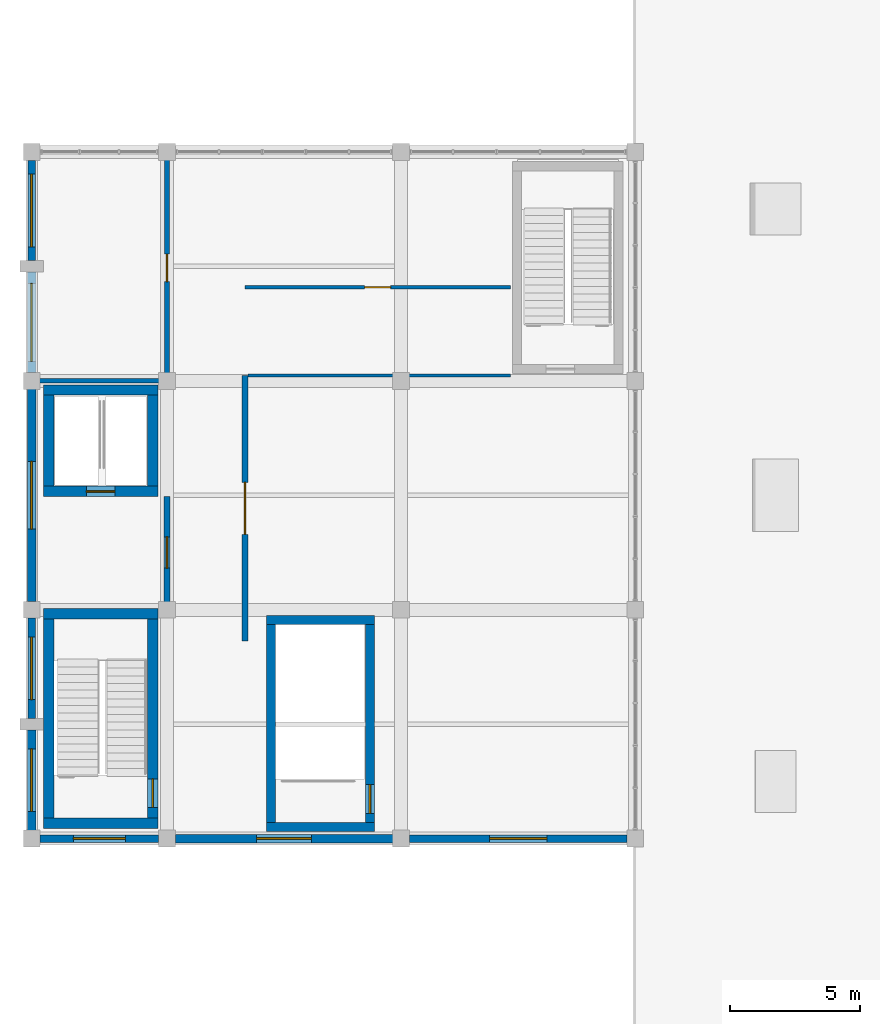
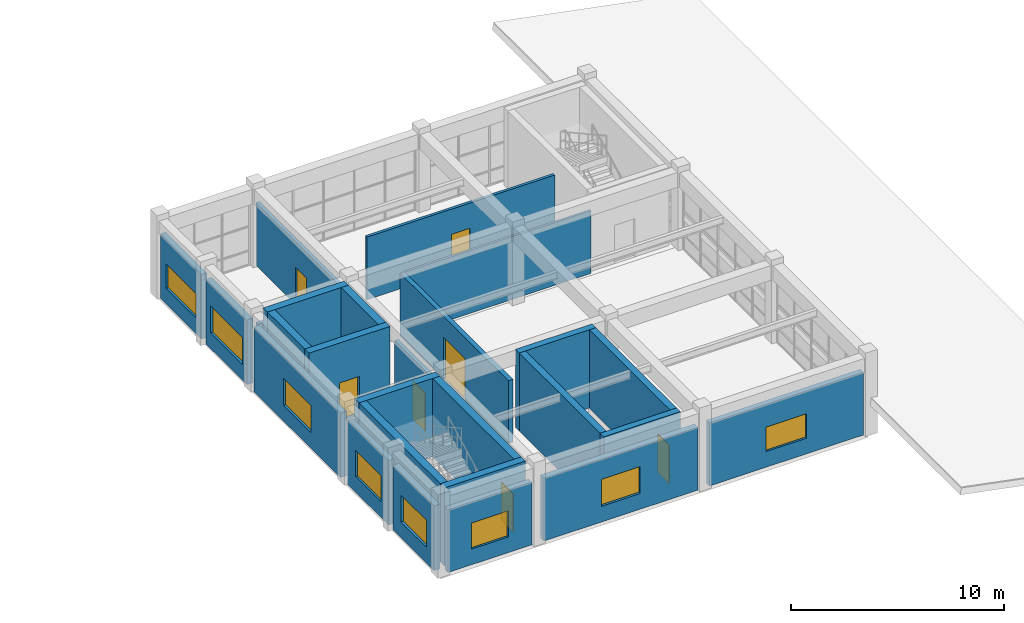
# One storey, part 81 of 99: 26 walls, 8 windows, 7 doors, 15 openings.
"""IFC4 building model written with IfcOpenShell, lengths in metres."""

from ifc_helpers import new_model, si_unit, direction, frame, frame_2d, origin, place, context, subcontext, project, spatial, rectangle, extrude, material, layer, layer_set, type_object, element, fill, save


model = new_model("IFC4")

# Units and contexts
model_context = context("Model", 3, precision=1e-05, world=origin(), true_north=direction((0.0, 1.0)))
body_context = subcontext(model_context, "Body", "Model", "MODEL_VIEW")
ifc_project = project(units=[si_unit("LENGTHUNIT", "METRE"), si_unit("AREAUNIT", "SQUARE_METRE"), si_unit("VOLUMEUNIT", "CUBIC_METRE"), si_unit("PLANEANGLEUNIT", "RADIAN"), si_unit("MASSUNIT", "GRAM", prefix="KILO")], contexts=[model_context])

# Site, building, storey
site_placement = place(None, origin())
site = spatial("IfcSite", under=ifc_project, at=site_placement, CompositionType="ELEMENT")
building_placement = place(site_placement, origin())
building = spatial("IfcBuilding", under=site, at=building_placement, Name="Ventoquebrada Cableway Terminal", CompositionType="ELEMENT")
storey_placement = place(building_placement, frame((0.0, 0.0, 9.60009765625)))
storey = spatial("IfcBuildingStorey", under=building, at=storey_placement, Name="L02", CompositionType="ELEMENT", Elevation=9.60009765625)

# Wall
ifc_material_1 = material(Name="Concrete C40/50", Category="concrete")
ifc_layer_1 = layer(ifc_material_1, 0.39990234375)
ifc_layer_set_1 = layer_set([ifc_layer_1], Name="Concrete C40/50")
wall_type_1 = type_object("IfcWallType", Name="WL-CR1", PredefinedType="SHEAR", material=ifc_layer_set_1)
wall_1_placement = place(storey_placement, frame((3.449951171875, 12.39990234375, 0.0), z_axis=(0.0, 0.0, 1.0), x_axis=(1.0, 0.0, 0.0)))
element("IfcWall", 1, at=wall_1_placement, inside=storey, type_object=wall_type_1, Name="Core shear wall IW-0025", PredefinedType="SHEAR", context=body_context, shape_type="SweptSolid", body=[
    extrude(rectangle(XDim=4.400146484375, YDim=0.39990234375, at=frame_2d((2.2001953125, 0.0))), origin(), (0.0, 0.0, 1.0), 4.489990234375),
])

# Wall, opening, door
wall_2_placement = place(storey_placement, frame((7.64990234375, 12.60009765625, 0.0), z_axis=(0.0, 0.0, 1.0), x_axis=(0.0, 1.0, 0.0)))
wall_2 = element("IfcWall", 2, at=wall_2_placement, inside=storey, type_object=wall_type_1, Name="Core shear wall IW-0026", PredefinedType="SHEAR", context=body_context, shape_type="SweptSolid", body=[
    extrude(rectangle(XDim=7.64990234375, YDim=0.39990234375, at=frame_2d((3.824951171875, 0.0))), origin(), (0.0, 0.0, 1.0), 4.489990234375),
])
opening_1_placement = place(wall_2_placement, frame((0.39990234375, 0.0, 0.0)))
opening_1 = element("IfcOpeningElement", 3, at=opening_1_placement, cuts=wall_2, Name="Opening D-004", PredefinedType="OPENING", context=body_context, shape_type="SweptSolid", body=[
    extrude(rectangle(XDim=1.10009765625, YDim=2.199951171875, at=frame_2d((0.550048828125, 1.10009765625))), frame((0.0, 0.2099609375, 0.0), z_axis=(0.0, -1.0, 0.0), x_axis=(1.0, 0.0, 0.0)), (0.0, 0.0, 1.0), 0.419921875),
])
ifc_material_2 = material(Name="Galvanized fire-rated steel door assembly", Category="steel")
door_type_1 = type_object("IfcDoorType", Name="DT-IN05", OperationType="SINGLE_SWING_LEFT", PredefinedType="DOOR", material=ifc_material_2)
door_1_placement = place(opening_1_placement, origin())
door_1 = element("IfcDoor", 4, at=door_1_placement, inside=storey, type_object=door_type_1, Name="Core K1-S stair fire door D-004", OperationType="SINGLE_SWING_LEFT", OverallHeight=2.199951171875, OverallWidth=1.10009765625, PredefinedType="DOOR", context=body_context, shape_type="SweptSolid", body=[
    extrude(rectangle(XDim=1.10009765625, YDim=2.199951171875, at=frame_2d((0.550048828125, 1.10009765625))), frame((0.0, 0.02490234375, 0.0), z_axis=(0.0, -1.0, 0.0), x_axis=(1.0, 0.0, 0.0)), (0.0, 0.0, 1.0), 0.050048828125),
])
fill(opening_1, door_1)

# Walls
wall_3_placement = place(storey_placement, frame((7.85009765625, 20.449951171875, 0.0), z_axis=(0.0, 0.0, 1.0), x_axis=(-1.0, 0.0, 0.0)))
element("IfcWall", 5, at=wall_3_placement, inside=storey, type_object=wall_type_1, Name="Core shear wall IW-0027", PredefinedType="SHEAR", context=body_context, shape_type="SweptSolid", body=[
    extrude(rectangle(XDim=4.400146484375, YDim=0.39990234375, at=frame_2d((2.2001953125, 0.0))), origin(), (0.0, 0.0, 1.0), 4.489990234375),
])
wall_4_placement = place(storey_placement, frame((3.64990234375, 20.25, 0.0), z_axis=(0.0, 0.0, 1.0), x_axis=(0.0, -1.0, 0.0)))
element("IfcWall", 6, at=wall_4_placement, inside=storey, type_object=wall_type_1, Name="Core shear wall IW-0028", PredefinedType="SHEAR", context=body_context, shape_type="SweptSolid", body=[
    extrude(rectangle(XDim=7.64990234375, YDim=0.39990234375, at=frame_2d((3.824951171875, 0.0))), origin(), (0.0, 0.0, 1.0), 4.489990234375),
])

# Wall, opening, door
wall_5_placement = place(storey_placement, frame((3.449951171875, 25.14990234375, 0.0), z_axis=(0.0, 0.0, 1.0), x_axis=(1.0, 0.0, 0.0)))
wall_5 = element("IfcWall", 7, at=wall_5_placement, inside=storey, type_object=wall_type_1, Name="Core shear wall IW-0029", PredefinedType="SHEAR", context=body_context, shape_type="SweptSolid", body=[
    extrude(rectangle(XDim=4.400146484375, YDim=0.39990234375, at=frame_2d((2.2001953125, 0.0))), origin(), (0.0, 0.0, 1.0), 4.489990234375),
])
opening_2_placement = place(wall_5_placement, frame((1.64990234375, 0.0, 0.0)))
opening_2 = element("IfcOpeningElement", 8, at=opening_2_placement, cuts=wall_5, Name="Opening LD-004", PredefinedType="OPENING", context=body_context, shape_type="SweptSolid", body=[
    extrude(rectangle(XDim=1.10009765625, YDim=2.199951171875, at=frame_2d((0.550048828125, 1.10009765625))), frame((0.0, 0.2099609375, 0.0), z_axis=(0.0, -1.0, 0.0), x_axis=(1.0, 0.0, 0.0)), (0.0, 0.0, 1.0), 0.419921875),
])
ifc_material_3 = material(Name="Brushed stainless steel Grade 316", Category="steel")
door_type_2 = type_object("IfcDoorType", Name="DT-LD01", OperationType="SLIDING_TO_LEFT", PredefinedType="DOOR", material=ifc_material_3)
door_2_placement = place(opening_2_placement, origin())
door_2 = element("IfcDoor", 9, at=door_2_placement, inside=storey, type_object=door_type_2, Name="Lift landing sliding door LD-004", OperationType="SLIDING_TO_LEFT", OverallHeight=2.199951171875, OverallWidth=1.10009765625, PredefinedType="DOOR", context=body_context, shape_type="SweptSolid", body=[
    extrude(rectangle(XDim=1.10009765625, YDim=2.199951171875, at=frame_2d((0.550048828125, 1.10009765625))), frame((0.0, 0.02490234375, 0.0), z_axis=(0.0, -1.0, 0.0), x_axis=(1.0, 0.0, 0.0)), (0.0, 0.0, 1.0), 0.050048828125),
])
fill(opening_2, door_2)

# Walls
wall_6_placement = place(storey_placement, frame((7.64990234375, 25.35009765625, 0.0), z_axis=(0.0, 0.0, 1.0), x_axis=(0.0, 1.0, 0.0)))
element("IfcWall", 10, at=wall_6_placement, inside=storey, type_object=wall_type_1, Name="Core shear wall IW-0030", PredefinedType="SHEAR", context=body_context, shape_type="SweptSolid", body=[
    extrude(rectangle(XDim=3.5, YDim=0.39990234375, at=frame_2d((1.75, 0.0))), origin(), (0.0, 0.0, 1.0), 4.489990234375),
])
wall_7_placement = place(storey_placement, frame((7.85009765625, 29.050048828125, 0.0), z_axis=(0.0, 0.0, 1.0), x_axis=(-1.0, 0.0, 0.0)))
element("IfcWall", 11, at=wall_7_placement, inside=storey, type_object=wall_type_1, Name="Core shear wall IW-0031", PredefinedType="SHEAR", context=body_context, shape_type="SweptSolid", body=[
    extrude(rectangle(XDim=4.400146484375, YDim=0.39990234375, at=frame_2d((2.2001953125, 0.0))), origin(), (0.0, 0.0, 1.0), 4.489990234375),
])
wall_8_placement = place(storey_placement, frame((3.64990234375, 28.85009765625, 0.0), z_axis=(0.0, 0.0, 1.0), x_axis=(0.0, -1.0, 0.0)))
element("IfcWall", 12, at=wall_8_placement, inside=storey, type_object=wall_type_1, Name="Core shear wall IW-0032", PredefinedType="SHEAR", context=body_context, shape_type="SweptSolid", body=[
    extrude(rectangle(XDim=3.5, YDim=0.39990234375, at=frame_2d((1.75, 0.0))), origin(), (0.0, 0.0, 1.0), 4.489990234375),
])

# Wall, opening, window
ifc_material_4 = material(Name="Precast architectural concrete C40/50", Category="concrete")
ifc_layer_2 = layer(ifc_material_4, 0.280029296875)
ifc_layer_set_2 = layer_set([ifc_layer_2], Name="Precast architectural concrete C40/50")
wall_type_2 = type_object("IfcWallType", Name="WL-EX1", PredefinedType="SOLIDWALL", material=ifc_layer_set_2)
wall_9_placement = place(storey_placement, frame((3.320068359375, 11.800048828125, 0.0), z_axis=(0.0, 0.0, 1.0), x_axis=(1.0, 0.0, 0.0)))
wall_9 = element("IfcWall", 13, at=wall_9_placement, inside=storey, type_object=wall_type_2, Name="Exterior architectural wall EW-0108", PredefinedType="SOLIDWALL", context=body_context, shape_type="SweptSolid", body=[
    extrude(rectangle(XDim=4.559814453125, YDim=0.280029296875, at=frame_2d((2.27978515625, 0.0))), origin(), (0.0, 0.0, 1.0), 3.60986328125),
])
opening_3_placement = place(wall_9_placement, frame((1.280029296875, 0.0, 0.89990234375)))
opening_3 = element("IfcOpeningElement", 14, at=opening_3_placement, cuts=wall_9, Name="Opening WN-027", PredefinedType="OPENING", context=body_context, shape_type="SweptSolid", body=[
    extrude(rectangle(XDim=2.0, YDim=1.5, at=frame_2d((1.0, 0.75))), frame((0.0, 0.14990234375, 0.0), z_axis=(0.0, -1.0, 0.0), x_axis=(1.0, 0.0, 0.0)), (0.0, 0.0, 1.0), 0.300048828125),
])
ifc_material_5 = material(Name="Double low-e laminated safety glazing", Category="glass")
window_type_1 = type_object("IfcWindowType", Name="WT-07", PartitioningType="SINGLE_PANEL", PredefinedType="WINDOW", material=ifc_material_5)
window_1_placement = place(opening_3_placement, origin())
window_1 = element("IfcWindow", 15, at=window_1_placement, inside=storey, type_object=window_type_1, Name="Architectural punched window WN-027", OverallHeight=1.5, OverallWidth=2.0, PartitioningType="SINGLE_PANEL", PredefinedType="WINDOW", context=body_context, shape_type="SweptSolid", body=[
    extrude(rectangle(XDim=2.0, YDim=1.5, at=frame_2d((1.0, 0.75))), frame((0.0, 0.030029296875, 0.0), z_axis=(0.0, -1.0, 0.0), x_axis=(1.0, 0.0, 0.0)), (0.0, 0.0, 1.0), 0.06005859375),
])
fill(opening_3, window_1)

wall_10_placement = place(storey_placement, frame((17.52001953125, 11.800048828125, 0.0), z_axis=(0.0, 0.0, 1.0), x_axis=(1.0, 0.0, 0.0)))
wall_10 = element("IfcWall", 16, at=wall_10_placement, inside=storey, type_object=wall_type_2, Name="Exterior architectural wall EW-0110", PredefinedType="SOLIDWALL", context=body_context, shape_type="SweptSolid", body=[
    extrude(rectangle(XDim=8.35986328125, YDim=0.280029296875, at=frame_2d((4.179931640625, 0.0))), origin(), (0.0, 0.0, 1.0), 3.60986328125),
])
opening_4_placement = place(wall_10_placement, frame((3.080078125, 0.0, 0.89990234375)))
opening_4 = element("IfcOpeningElement", 17, at=opening_4_placement, cuts=wall_10, Name="Opening WN-029", PredefinedType="OPENING", context=body_context, shape_type="SweptSolid", body=[
    extrude(rectangle(XDim=2.199951171875, YDim=1.39990234375, at=frame_2d((1.10009765625, 0.699951171875))), frame((0.0, 0.14990234375, 0.0), z_axis=(0.0, -1.0, 0.0), x_axis=(1.0, 0.0, 0.0)), (0.0, 0.0, 1.0), 0.300048828125),
])
window_type_2 = type_object("IfcWindowType", Name="WT-09", PartitioningType="SINGLE_PANEL", PredefinedType="WINDOW", material=ifc_material_5)
window_2_placement = place(opening_4_placement, origin())
window_2 = element("IfcWindow", 18, at=window_2_placement, inside=storey, type_object=window_type_2, Name="Architectural punched window WN-029", OverallHeight=1.39990234375, OverallWidth=2.199951171875, PartitioningType="SINGLE_PANEL", PredefinedType="WINDOW", context=body_context, shape_type="SweptSolid", body=[
    extrude(rectangle(XDim=2.199951171875, YDim=1.39990234375, at=frame_2d((1.10009765625, 0.699951171875))), frame((0.0, 0.030029296875, 0.0), z_axis=(0.0, -1.0, 0.0), x_axis=(1.0, 0.0, 0.0)), (0.0, 0.0, 1.0), 0.06005859375),
])
fill(opening_4, window_2)

wall_11_placement = place(storey_placement, frame((3.0, 20.280029296875, 0.0), z_axis=(0.0, 0.0, 1.0), x_axis=(0.0, -1.0, 0.0)))
wall_11 = element("IfcWall", 19, at=wall_11_placement, inside=storey, type_object=wall_type_2, Name="Exterior architectural wall EW-0111", PredefinedType="SOLIDWALL", context=body_context, shape_type="SweptSolid", body=[
    extrude(rectangle(XDim=3.860107421875, YDim=0.280029296875, at=frame_2d((1.93017578125, 0.0))), origin(), (0.0, 0.0, 1.0), 3.7099609375),
])
opening_5_placement = place(wall_11_placement, frame((0.72998046875, 0.0, 0.89990234375)))
opening_5 = element("IfcOpeningElement", 20, at=opening_5_placement, cuts=wall_11, Name="Opening WN-030", PredefinedType="OPENING", context=body_context, shape_type="SweptSolid", body=[
    extrude(rectangle(XDim=2.39990234375, YDim=1.5, at=frame_2d((1.199951171875, 0.75))), frame((0.0, 0.14990234375, 0.0), z_axis=(0.0, -1.0, 0.0), x_axis=(1.0, 0.0, 0.0)), (0.0, 0.0, 1.0), 0.300048828125),
])
window_type_3 = type_object("IfcWindowType", Name="WT-10", PartitioningType="SINGLE_PANEL", PredefinedType="WINDOW", material=ifc_material_5)
window_3_placement = place(opening_5_placement, origin())
window_3 = element("IfcWindow", 21, at=window_3_placement, inside=storey, type_object=window_type_3, Name="Architectural punched window WN-030", OverallHeight=1.5, OverallWidth=2.39990234375, PartitioningType="SINGLE_PANEL", PredefinedType="WINDOW", context=body_context, shape_type="SweptSolid", body=[
    extrude(rectangle(XDim=2.39990234375, YDim=1.5, at=frame_2d((1.199951171875, 0.75))), frame((0.0, 0.030029296875, 0.0), z_axis=(0.0, -1.0, 0.0), x_axis=(1.0, 0.0, 0.0)), (0.0, 0.0, 1.0), 0.06005859375),
])
fill(opening_5, window_3)

wall_12_placement = place(storey_placement, frame((3.0, 37.8798828125, 0.0), z_axis=(0.0, 0.0, 1.0), x_axis=(0.0, -1.0, 0.0)))
wall_12 = element("IfcWall", 22, at=wall_12_placement, inside=storey, type_object=wall_type_2, Name="Exterior architectural wall EW-0114", PredefinedType="SOLIDWALL", context=body_context, shape_type="SweptSolid", body=[
    extrude(rectangle(XDim=3.85986328125, YDim=0.280029296875, at=frame_2d((1.929931640625, 0.0))), origin(), (0.0, 0.0, 1.0), 3.7099609375),
])
opening_6_placement = place(wall_12_placement, frame((0.530029296875, 0.0, 0.89990234375)))
opening_6 = element("IfcOpeningElement", 23, at=opening_6_placement, cuts=wall_12, Name="Opening WN-033", PredefinedType="OPENING", context=body_context, shape_type="SweptSolid", body=[
    extrude(rectangle(XDim=2.800048828125, YDim=1.39990234375, at=frame_2d((1.39990234375, 0.699951171875))), frame((0.0, 0.14990234375, 0.0), z_axis=(0.0, -1.0, 0.0), x_axis=(1.0, 0.0, 0.0)), (0.0, 0.0, 1.0), 0.300048828125),
])
window_type_4 = type_object("IfcWindowType", Name="WT-13", PartitioningType="SINGLE_PANEL", PredefinedType="WINDOW", material=ifc_material_5)
window_4_placement = place(opening_6_placement, origin())
window_4 = element("IfcWindow", 24, at=window_4_placement, inside=storey, type_object=window_type_4, Name="Architectural punched window WN-033", OverallHeight=1.39990234375, OverallWidth=2.800048828125, PartitioningType="SINGLE_PANEL", PredefinedType="WINDOW", context=body_context, shape_type="SweptSolid", body=[
    extrude(rectangle(XDim=2.800048828125, YDim=1.39990234375, at=frame_2d((1.39990234375, 0.699951171875))), frame((0.0, 0.030029296875, 0.0), z_axis=(0.0, -1.0, 0.0), x_axis=(1.0, 0.0, 0.0)), (0.0, 0.0, 1.0), 0.06005859375),
])
fill(opening_6, window_4)

ifc_layer_3 = layer(ifc_material_4, 0.320068359375)
ifc_layer_set_3 = layer_set([ifc_layer_3], Name="Precast architectural concrete C40/50")
wall_type_3 = type_object("IfcWallType", Name="WL-EX2", PredefinedType="SOLIDWALL", material=ifc_layer_set_3)
wall_13_placement = place(storey_placement, frame((8.52001953125, 11.800048828125, 0.0), z_axis=(0.0, 0.0, 1.0), x_axis=(1.0, 0.0, 0.0)))
wall_13 = element("IfcWall", 25, at=wall_13_placement, inside=storey, type_object=wall_type_3, Name="Exterior architectural wall EW-0109", PredefinedType="SOLIDWALL", context=body_context, shape_type="SweptSolid", body=[
    extrude(rectangle(XDim=8.35986328125, YDim=0.320068359375, at=frame_2d((4.179931640625, 0.0))), origin(), (0.0, 0.0, 1.0), 3.60986328125),
])
opening_7_placement = place(wall_13_placement, frame((3.1298828125, 0.0, 0.89990234375)))
opening_7 = element("IfcOpeningElement", 26, at=opening_7_placement, cuts=wall_13, Name="Opening WN-028", PredefinedType="OPENING", context=body_context, shape_type="SweptSolid", body=[
    extrude(rectangle(XDim=2.10009765625, YDim=1.550048828125, at=frame_2d((1.050048828125, 0.77490234375))), frame((0.0, 0.169921875, 0.0), z_axis=(0.0, -1.0, 0.0), x_axis=(1.0, 0.0, 0.0)), (0.0, 0.0, 1.0), 0.340087890625),
])
window_type_5 = type_object("IfcWindowType", Name="WT-08", PartitioningType="SINGLE_PANEL", PredefinedType="WINDOW", material=ifc_material_5)
window_5_placement = place(opening_7_placement, origin())
window_5 = element("IfcWindow", 27, at=window_5_placement, inside=storey, type_object=window_type_5, Name="Architectural punched window WN-028", OverallHeight=1.550048828125, OverallWidth=2.10009765625, PartitioningType="SINGLE_PANEL", PredefinedType="WINDOW", context=body_context, shape_type="SweptSolid", body=[
    extrude(rectangle(XDim=2.10009765625, YDim=1.550048828125, at=frame_2d((1.050048828125, 0.77490234375))), frame((0.0, 0.030029296875, 0.0), z_axis=(0.0, -1.0, 0.0), x_axis=(1.0, 0.0, 0.0)), (0.0, 0.0, 1.0), 0.06005859375),
])
fill(opening_7, window_5)

wall_14_placement = place(storey_placement, frame((3.0, 15.97998046875, 0.0), z_axis=(0.0, 0.0, 1.0), x_axis=(0.0, -1.0, 0.0)))
wall_14 = element("IfcWall", 28, at=wall_14_placement, inside=storey, type_object=wall_type_3, Name="Exterior architectural wall EW-0112", PredefinedType="SOLIDWALL", context=body_context, shape_type="SweptSolid", body=[
    extrude(rectangle(XDim=3.85986328125, YDim=0.320068359375, at=frame_2d((1.929931640625, 0.0))), origin(), (0.0, 0.0, 1.0), 3.7099609375),
])
opening_8_placement = place(wall_14_placement, frame((0.72998046875, 0.0, 0.89990234375)))
opening_8 = element("IfcOpeningElement", 29, at=opening_8_placement, cuts=wall_14, Name="Opening WN-031", PredefinedType="OPENING", context=body_context, shape_type="SweptSolid", body=[
    extrude(rectangle(XDim=2.39990234375, YDim=1.550048828125, at=frame_2d((1.199951171875, 0.77490234375))), frame((0.0, 0.169921875, 0.0), z_axis=(0.0, -1.0, 0.0), x_axis=(1.0, 0.0, 0.0)), (0.0, 0.0, 1.0), 0.340087890625),
])
window_type_6 = type_object("IfcWindowType", Name="WT-11", PartitioningType="SINGLE_PANEL", PredefinedType="WINDOW", material=ifc_material_5)
window_6_placement = place(opening_8_placement, origin())
window_6 = element("IfcWindow", 30, at=window_6_placement, inside=storey, type_object=window_type_6, Name="Architectural punched window WN-031", OverallHeight=1.550048828125, OverallWidth=2.39990234375, PartitioningType="SINGLE_PANEL", PredefinedType="WINDOW", context=body_context, shape_type="SweptSolid", body=[
    extrude(rectangle(XDim=2.39990234375, YDim=1.550048828125, at=frame_2d((1.199951171875, 0.77490234375))), frame((0.0, 0.030029296875, 0.0), z_axis=(0.0, -1.0, 0.0), x_axis=(1.0, 0.0, 0.0)), (0.0, 0.0, 1.0), 0.06005859375),
])
fill(opening_8, window_6)

wall_15_placement = place(storey_placement, frame((3.0, 29.080078125, 0.0), z_axis=(0.0, 0.0, 1.0), x_axis=(0.0, -1.0, 0.0)))
wall_15 = element("IfcWall", 31, at=wall_15_placement, inside=storey, type_object=wall_type_3, Name="Exterior architectural wall EW-0113", PredefinedType="SOLIDWALL", context=body_context, shape_type="SweptSolid", body=[
    extrude(rectangle(XDim=8.16015625, YDim=0.320068359375, at=frame_2d((4.080078125, 0.0))), origin(), (0.0, 0.0, 1.0), 3.7099609375),
])
opening_9_placement = place(wall_15_placement, frame((2.780029296875, 0.0, 0.89990234375)))
opening_9 = element("IfcOpeningElement", 32, at=opening_9_placement, cuts=wall_15, Name="Opening WN-032", PredefinedType="OPENING", context=body_context, shape_type="SweptSolid", body=[
    extrude(rectangle(XDim=2.60009765625, YDim=1.550048828125, at=frame_2d((1.300048828125, 0.77490234375))), frame((0.0, 0.169921875, 0.0), z_axis=(0.0, -1.0, 0.0), x_axis=(1.0, 0.0, 0.0)), (0.0, 0.0, 1.0), 0.340087890625),
])
window_type_7 = type_object("IfcWindowType", Name="WT-12", PartitioningType="SINGLE_PANEL", PredefinedType="WINDOW", material=ifc_material_5)
window_7_placement = place(opening_9_placement, origin())
window_7 = element("IfcWindow", 33, at=window_7_placement, inside=storey, type_object=window_type_7, Name="Architectural punched window WN-032", OverallHeight=1.550048828125, OverallWidth=2.60009765625, PartitioningType="SINGLE_PANEL", PredefinedType="WINDOW", context=body_context, shape_type="SweptSolid", body=[
    extrude(rectangle(XDim=2.60009765625, YDim=1.550048828125, at=frame_2d((1.300048828125, 0.77490234375))), frame((0.0, 0.030029296875, 0.0), z_axis=(0.0, -1.0, 0.0), x_axis=(1.0, 0.0, 0.0)), (0.0, 0.0, 1.0), 0.06005859375),
])
fill(opening_9, window_7)

wall_16_placement = place(storey_placement, frame((3.0, 33.580078125, 0.0), z_axis=(0.0, 0.0, 1.0), x_axis=(0.0, -1.0, 0.0)))
wall_16 = element("IfcWall", 34, at=wall_16_placement, inside=storey, type_object=wall_type_3, Name="Exterior architectural wall EW-0115", PredefinedType="SOLIDWALL", context=body_context, shape_type="SweptSolid", body=[
    extrude(rectangle(XDim=3.860107421875, YDim=0.320068359375, at=frame_2d((1.93017578125, 0.0))), origin(), (0.0, 0.0, 1.0), 3.7099609375),
])
opening_10_placement = place(wall_16_placement, frame((0.429931640625, 0.0, 0.89990234375)))
opening_10 = element("IfcOpeningElement", 35, at=opening_10_placement, cuts=wall_16, Name="Opening WN-034", PredefinedType="OPENING", context=body_context, shape_type="SweptSolid", body=[
    extrude(rectangle(XDim=3.0, YDim=1.550048828125, at=frame_2d((1.5, 0.77490234375))), frame((0.0, 0.169921875, 0.0), z_axis=(0.0, -1.0, 0.0), x_axis=(1.0, 0.0, 0.0)), (0.0, 0.0, 1.0), 0.340087890625),
])
window_type_8 = type_object("IfcWindowType", Name="WT-14", PartitioningType="SINGLE_PANEL", PredefinedType="WINDOW", material=ifc_material_5)
window_8_placement = place(opening_10_placement, origin())
window_8 = element("IfcWindow", 36, at=window_8_placement, inside=storey, type_object=window_type_8, Name="Architectural punched window WN-034", OverallHeight=1.550048828125, OverallWidth=3.0, PartitioningType="SINGLE_PANEL", PredefinedType="WINDOW", context=body_context, shape_type="SweptSolid", body=[
    extrude(rectangle(XDim=3.0, YDim=1.550048828125, at=frame_2d((1.5, 0.77490234375))), frame((0.0, 0.030029296875, 0.0), z_axis=(0.0, -1.0, 0.0), x_axis=(1.0, 0.0, 0.0)), (0.0, 0.0, 1.0), 0.06005859375),
])
fill(opening_10, window_8)

# Wall
ifc_material_6 = material(Name="Fire-rated gypsum partition board on steel framing", Category="steel")
ifc_layer_4 = layer(ifc_material_6, 0.1201171875)
ifc_layer_set_4 = layer_set([ifc_layer_4], Name="Fire-rated gypsum partition board on steel framing")
wall_type_4 = type_object("IfcWallType", Name="WL-PT1", PredefinedType="PARTITIONING", material=ifc_layer_set_4)
wall_17_placement = place(storey_placement, frame((11.320068359375, 29.60009765625, 0.0), z_axis=(0.0, 0.0, 1.0), x_axis=(1.0, 0.0, 0.0)))
element("IfcWall", 37, at=wall_17_placement, inside=storey, type_object=wall_type_4, Name="Interior partition IW-0381", PredefinedType="PARTITIONING", context=body_context, shape_type="SweptSolid", body=[
    extrude(rectangle(XDim=10.079833984375, YDim=0.1201171875, at=frame_2d((5.0400390625, 0.0))), origin(), (0.0, 0.0, 1.0), 3.599853515625),
])

# Wall, opening, door
ifc_material_7 = material(Name="Autoclaved aerated concrete blockwork", Category="masonry")
ifc_layer_5 = layer(ifc_material_7, 0.2451171875)
ifc_layer_set_5 = layer_set([ifc_layer_5], Name="Autoclaved aerated concrete blockwork")
wall_type_5 = type_object("IfcWallType", Name="WL-PT10", PredefinedType="PARTITIONING", material=ifc_layer_set_5)
wall_18_placement = place(storey_placement, frame((11.199951171875, 19.39990234375, 0.0), z_axis=(0.0, 0.0, 1.0), x_axis=(0.0, 1.0, 0.0)))
wall_18 = element("IfcWall", 38, at=wall_18_placement, inside=storey, type_object=wall_type_5, Name="Interior partition IW-0380", PredefinedType="PARTITIONING", context=body_context, shape_type="SweptSolid", body=[
    extrude(rectangle(XDim=10.2001953125, YDim=0.2451171875, at=frame_2d((5.10009765625, 0.0))), origin(), (0.0, 0.0, 1.0), 3.599853515625),
])
opening_11_placement = place(wall_18_placement, frame((4.10009765625, 0.0, 0.0)))
opening_11 = element("IfcOpeningElement", 39, at=opening_11_placement, cuts=wall_18, Name="Opening D-108", PredefinedType="OPENING", context=body_context, shape_type="SweptSolid", body=[
    extrude(rectangle(XDim=2.0, YDim=2.39990234375, at=frame_2d((1.0, 1.199951171875))), frame((0.0, 0.132568359375, 0.0), z_axis=(0.0, -1.0, 0.0), x_axis=(1.0, 0.0, 0.0)), (0.0, 0.0, 1.0), 0.26513671875),
])
door_type_3 = type_object("IfcDoorType", Name="DT-IN09", OperationType="DOUBLE_DOOR_SINGLE_SWING", PredefinedType="DOOR", material=ifc_material_2)
door_3_placement = place(opening_11_placement, origin())
door_3 = element("IfcDoor", 40, at=door_3_placement, inside=storey, type_object=door_type_3, Name="Highland Lounge Entrance D-108", OperationType="DOUBLE_DOOR_SINGLE_SWING", OverallHeight=2.39990234375, OverallWidth=2.0, PredefinedType="DOOR", context=body_context, shape_type="SweptSolid", body=[
    extrude(rectangle(XDim=2.0, YDim=2.39990234375, at=frame_2d((1.0, 1.199951171875))), frame((0.0, 0.02490234375, 0.0), z_axis=(0.0, -1.0, 0.0), x_axis=(1.0, 0.0, 0.0)), (0.0, 0.0, 1.0), 0.050048828125),
])
fill(opening_11, door_3)

ifc_layer_6 = layer(ifc_material_6, 0.14990234375)
ifc_layer_set_6 = layer_set([ifc_layer_6], Name="Fire-rated gypsum partition board on steel framing")
wall_type_6 = type_object("IfcWallType", Name="WL-PT2", PredefinedType="PARTITIONING", material=ifc_layer_set_6)
wall_19_placement = place(storey_placement, frame((11.199951171875, 33.0, 0.0), z_axis=(0.0, 0.0, 1.0), x_axis=(1.0, 0.0, 0.0)))
wall_19 = element("IfcWall", 41, at=wall_19_placement, inside=storey, type_object=wall_type_6, Name="Interior partition IW-0382", PredefinedType="PARTITIONING", context=body_context, shape_type="SweptSolid", body=[
    extrude(rectangle(XDim=10.199951171875, YDim=0.14990234375, at=frame_2d((5.10009765625, 0.0))), origin(), (0.0, 0.0, 1.0), 3.599853515625),
])
opening_12_placement = place(wall_19_placement, frame((4.60009765625, 0.0, 0.0)))
opening_12 = element("IfcOpeningElement", 42, at=opening_12_placement, cuts=wall_19, Name="Opening D-109", PredefinedType="OPENING", context=body_context, shape_type="SweptSolid", body=[
    extrude(rectangle(XDim=1.0, YDim=2.14990234375, at=frame_2d((0.5, 1.074951171875))), frame((0.0, 0.0849609375, 0.0), z_axis=(0.0, -1.0, 0.0), x_axis=(1.0, 0.0, 0.0)), (0.0, 0.0, 1.0), 0.169921875),
])
ifc_material_8 = material(Name="Fire-retardant oak acoustic door leaf")
door_type_4 = type_object("IfcDoorType", Name="DT-IN02", OperationType="SINGLE_SWING_RIGHT", PredefinedType="DOOR", material=ifc_material_8)
door_4_placement = place(opening_12_placement, origin())
door_4 = element("IfcDoor", 43, at=door_4_placement, inside=storey, type_object=door_type_4, Name="Roastery Counter Door D-109", OperationType="SINGLE_SWING_RIGHT", OverallHeight=2.14990234375, OverallWidth=1.0, PredefinedType="DOOR", context=body_context, shape_type="SweptSolid", body=[
    extrude(rectangle(XDim=1.0, YDim=2.14990234375, at=frame_2d((0.5, 1.074951171875))), frame((0.0, 0.02490234375, 0.0), z_axis=(0.0, -1.0, 0.0), x_axis=(1.0, 0.0, 0.0)), (0.0, 0.0, 1.0), 0.050048828125),
])
fill(opening_12, door_4)

# Wall
ifc_layer_7 = layer(ifc_material_6, 0.179931640625)
ifc_layer_set_7 = layer_set([ifc_layer_7], Name="Fire-rated gypsum partition board on steel framing")
wall_type_7 = type_object("IfcWallType", Name="WL-PT3", PredefinedType="STANDARD", material=ifc_layer_set_7)
wall_20_placement = place(storey_placement, frame((3.199951171875, 29.39990234375, 0.0), z_axis=(0.0, 0.0, 1.0), x_axis=(1.0, 0.0, 0.0)))
element("IfcWall", 44, at=wall_20_placement, inside=storey, type_object=wall_type_7, Name="Interior partition IW-0383", PredefinedType="STANDARD", context=body_context, shape_type="SweptSolid", body=[
    extrude(rectangle(XDim=5.0, YDim=0.179931640625, at=frame_2d((2.5, 0.0))), origin(), (0.0, 0.0, 1.0), 3.599853515625),
])

# Wall, opening, door
ifc_layer_8 = layer(ifc_material_7, 0.199951171875)
ifc_layer_set_8 = layer_set([ifc_layer_8], Name="Autoclaved aerated concrete blockwork")
wall_type_8 = type_object("IfcWallType", Name="WL-PT4", PredefinedType="PARTITIONING", material=ifc_layer_set_8)
wall_21_placement = place(storey_placement, frame((8.199951171875, 29.488037109375, 0.0), z_axis=(0.0, 0.0, 1.0), x_axis=(0.0, 1.0, 0.0)))
wall_21 = element("IfcWall", 45, at=wall_21_placement, inside=storey, type_object=wall_type_8, Name="Interior partition IW-0384", PredefinedType="PARTITIONING", context=body_context, shape_type="SweptSolid", body=[
    extrude(rectangle(XDim=8.511962890625, YDim=0.199951171875, at=frame_2d((4.255859375, 0.0))), origin(), (0.0, 0.0, 1.0), 3.599853515625),
])
opening_13_placement = place(wall_21_placement, frame((3.73095703125, 0.0, 0.0)))
opening_13 = element("IfcOpeningElement", 46, at=opening_13_placement, cuts=wall_21, Name="Opening D-110", PredefinedType="OPENING", context=body_context, shape_type="SweptSolid", body=[
    extrude(rectangle(XDim=1.050048828125, YDim=2.14990234375, at=frame_2d((0.52490234375, 1.074951171875))), frame((0.0, 0.10986328125, 0.0), z_axis=(0.0, -1.0, 0.0), x_axis=(1.0, 0.0, 0.0)), (0.0, 0.0, 1.0), 0.219970703125),
])
door_type_5 = type_object("IfcDoorType", Name="DT-IN03", OperationType="SINGLE_SWING_LEFT", PredefinedType="DOOR", material=ifc_material_8)
door_5_placement = place(opening_13_placement, origin())
door_5 = element("IfcDoor", 47, at=door_5_placement, inside=storey, type_object=door_type_5, Name="L02 Accessible WC Door D-110", OperationType="SINGLE_SWING_LEFT", OverallHeight=2.14990234375, OverallWidth=1.050048828125, PredefinedType="DOOR", context=body_context, shape_type="SweptSolid", body=[
    extrude(rectangle(XDim=1.050048828125, YDim=2.14990234375, at=frame_2d((0.52490234375, 1.074951171875))), frame((0.0, 0.02490234375, 0.0), z_axis=(0.0, -1.0, 0.0), x_axis=(1.0, 0.0, 0.0)), (0.0, 0.0, 1.0), 0.050048828125),
])
fill(opening_13, door_5)

ifc_layer_9 = layer(ifc_material_7, 0.215087890625)
ifc_layer_set_9 = layer_set([ifc_layer_9], Name="Autoclaved aerated concrete blockwork")
wall_type_9 = type_object("IfcWallType", Name="WL-PT9", PredefinedType="PARTITIONING", material=ifc_layer_set_9)
wall_22_placement = place(storey_placement, frame((8.199951171875, 20.64990234375, 0.0), z_axis=(0.0, 0.0, 1.0), x_axis=(0.0, 1.0, 0.0)))
wall_22 = element("IfcWall", 48, at=wall_22_placement, inside=storey, type_object=wall_type_9, Name="Interior partition IW-0379", PredefinedType="PARTITIONING", context=body_context, shape_type="SweptSolid", body=[
    extrude(rectangle(XDim=4.300048828125, YDim=0.215087890625, at=frame_2d((2.14990234375, 0.0))), origin(), (0.0, 0.0, 1.0), 3.599853515625),
])
opening_14_placement = place(wall_22_placement, frame((1.550048828125, 0.0, 0.0)))
opening_14 = element("IfcOpeningElement", 49, at=opening_14_placement, cuts=wall_22, Name="Opening D-107", PredefinedType="OPENING", context=body_context, shape_type="SweptSolid", body=[
    extrude(rectangle(XDim=1.199951171875, YDim=2.199951171875, at=frame_2d((0.60009765625, 1.10009765625))), frame((0.0, 0.117431640625, 0.0), z_axis=(0.0, -1.0, 0.0), x_axis=(1.0, 0.0, 0.0)), (0.0, 0.0, 1.0), 0.235107421875),
])
door_type_6 = type_object("IfcDoorType", Name="DT-IN06", OperationType="SINGLE_SWING_RIGHT", PredefinedType="DOOR", material=ifc_material_2)
door_6_placement = place(opening_14_placement, origin())
door_6 = element("IfcDoor", 50, at=door_6_placement, inside=storey, type_object=door_type_6, Name="K1 Firefighting Lobby Door D-107", OperationType="SINGLE_SWING_RIGHT", OverallHeight=2.199951171875, OverallWidth=1.199951171875, PredefinedType="DOOR", context=body_context, shape_type="SweptSolid", body=[
    extrude(rectangle(XDim=1.199951171875, YDim=2.199951171875, at=frame_2d((0.60009765625, 1.10009765625))), frame((0.0, 0.02490234375, 0.0), z_axis=(0.0, -1.0, 0.0), x_axis=(1.0, 0.0, 0.0)), (0.0, 0.0, 1.0), 0.050048828125),
])
fill(opening_14, door_6)

# Wall
ifc_layer_10 = layer(ifc_material_1, 0.35009765625)
ifc_layer_set_10 = layer_set([ifc_layer_10], Name="Concrete C40/50")
wall_type_10 = type_object("IfcWallType", Name="WL-SH1", PredefinedType="SHEAR", material=ifc_layer_set_10)
wall_23_placement = place(storey_placement, frame((12.02490234375, 12.25, 0.0), z_axis=(0.0, 0.0, 1.0), x_axis=(1.0, 0.0, 0.0)))
element("IfcWall", 51, at=wall_23_placement, inside=storey, type_object=wall_type_10, Name="Core shear wall IW-0273", PredefinedType="SHEAR", context=body_context, shape_type="SweptSolid", body=[
    extrude(rectangle(XDim=4.150146484375, YDim=0.35009765625, at=frame_2d((2.0751953125, 0.0))), origin(), (0.0, 0.0, 1.0), 4.489990234375),
])

# Wall, opening, door
wall_24_placement = place(storey_placement, frame((16.0, 12.425048828125, 0.0), z_axis=(0.0, 0.0, 1.0), x_axis=(0.0, 1.0, 0.0)))
wall_24 = element("IfcWall", 52, at=wall_24_placement, inside=storey, type_object=wall_type_10, Name="Core shear wall IW-0274", PredefinedType="SHEAR", context=body_context, shape_type="SweptSolid", body=[
    extrude(rectangle(XDim=7.599853515625, YDim=0.35009765625, at=frame_2d((3.7998046875, 0.0))), origin(), (0.0, 0.0, 1.0), 4.489990234375),
])
opening_15_placement = place(wall_24_placement, frame((0.35009765625, 0.0, 0.0)))
opening_15 = element("IfcOpeningElement", 53, at=opening_15_placement, cuts=wall_24, Name="Opening D-043", PredefinedType="OPENING", context=body_context, shape_type="SweptSolid", body=[
    extrude(rectangle(XDim=1.10009765625, YDim=2.199951171875, at=frame_2d((0.550048828125, 1.10009765625))), frame((0.0, 0.18505859375, 0.0), z_axis=(0.0, -1.0, 0.0), x_axis=(1.0, 0.0, 0.0)), (0.0, 0.0, 1.0), 0.3701171875),
])
door_7_placement = place(opening_15_placement, origin())
door_7 = element("IfcDoor", 54, at=door_7_placement, inside=storey, type_object=door_type_1, Name="Core V5-FEAT stair fire door D-043", OperationType="SINGLE_SWING_RIGHT", OverallHeight=2.199951171875, OverallWidth=1.10009765625, PredefinedType="DOOR", context=body_context, shape_type="SweptSolid", body=[
    extrude(rectangle(XDim=1.10009765625, YDim=2.199951171875, at=frame_2d((0.550048828125, 1.10009765625))), frame((0.0, 0.02490234375, 0.0), z_axis=(0.0, -1.0, 0.0), x_axis=(1.0, 0.0, 0.0)), (0.0, 0.0, 1.0), 0.050048828125),
])
fill(opening_15, door_7)

# Walls
wall_25_placement = place(storey_placement, frame((16.175048828125, 20.199951171875, 0.0), z_axis=(0.0, 0.0, 1.0), x_axis=(-1.0, 0.0, 0.0)))
element("IfcWall", 55, at=wall_25_placement, inside=storey, type_object=wall_type_10, Name="Core shear wall IW-0275", PredefinedType="SHEAR", context=body_context, shape_type="SweptSolid", body=[
    extrude(rectangle(XDim=4.150146484375, YDim=0.35009765625, at=frame_2d((2.0751953125, 0.0))), origin(), (0.0, 0.0, 1.0), 4.489990234375),
])
wall_26_placement = place(storey_placement, frame((12.199951171875, 20.02490234375, 0.0), z_axis=(0.0, 0.0, 1.0), x_axis=(0.0, -1.0, 0.0)))
element("IfcWall", 56, at=wall_26_placement, inside=storey, type_object=wall_type_10, Name="Core shear wall IW-0276", PredefinedType="SHEAR", context=body_context, shape_type="SweptSolid", body=[
    extrude(rectangle(XDim=7.599853515625, YDim=0.35009765625, at=frame_2d((3.7998046875, 0.0))), origin(), (0.0, 0.0, 1.0), 4.489990234375),
])

save(model, "model.ifc")
